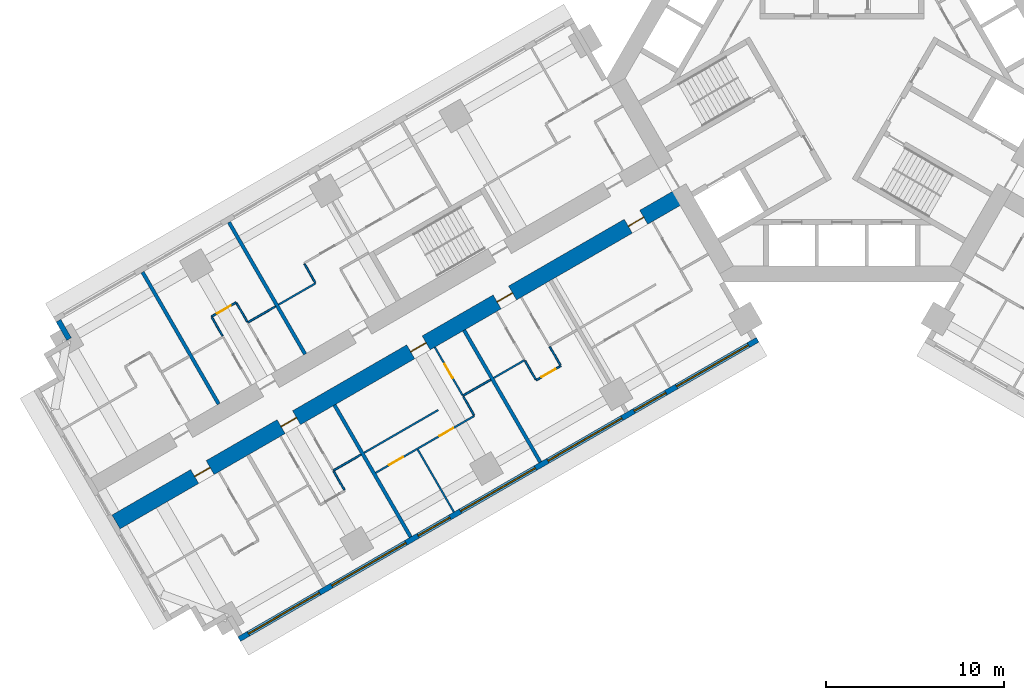
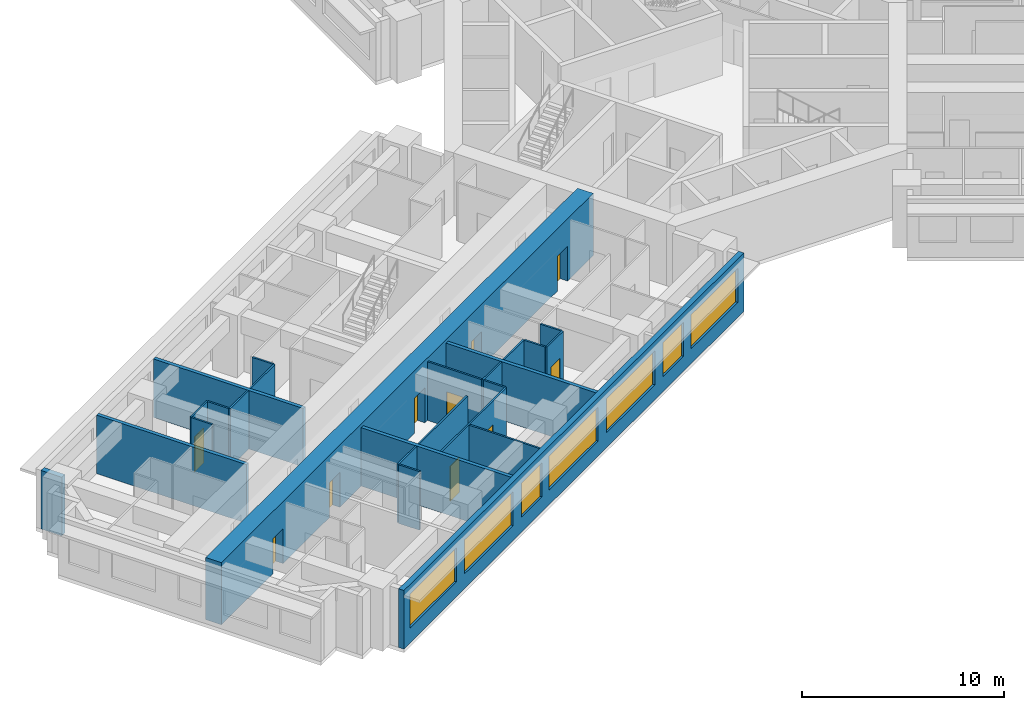
# One storey, part 4 of 16: 25 walls, 10 doors, 7 windows, 17 openings.
"""IFC4 building model written with IfcOpenShell, lengths in metres."""

from ifc_helpers import new_model, si_unit, direction, frame, frame_2d, origin, place, context, subcontext, project, spatial, rectangle, extrude, material, layer, layer_set, type_object, element, fill, save


model = new_model("IFC4")

# Units and contexts
model_context = context("Model", 3, precision=1e-05, world=origin(), true_north=direction((0.0, 1.0)))
body_context = subcontext(model_context, "Body", "Model", "MODEL_VIEW")
ifc_project = project(units=[si_unit("LENGTHUNIT", "METRE"), si_unit("AREAUNIT", "SQUARE_METRE"), si_unit("VOLUMEUNIT", "CUBIC_METRE"), si_unit("PLANEANGLEUNIT", "RADIAN"), si_unit("MASSUNIT", "GRAM", prefix="KILO")], contexts=[model_context])

# Site, building, storey
site_placement = place(None, origin())
site = spatial("IfcSite", under=ifc_project, at=site_placement, CompositionType="ELEMENT")
building_placement = place(site_placement, origin())
building = spatial("IfcBuilding", under=site, at=building_placement, Name="Impinga Residences", CompositionType="ELEMENT")
storey_placement = place(building_placement, frame((0.0, 0.0, 52.25)))
storey = spatial("IfcBuildingStorey", under=building, at=storey_placement, Name="L12", CompositionType="ELEMENT", Elevation=52.25)

# Wall, openings, doors
ifc_material_1 = material(Name="Concrete C70/85", Category="concrete")
ifc_layer_1 = layer(ifc_material_1, 0.89990234375)
ifc_layer_set_1 = layer_set([ifc_layer_1], Name="Concrete C70/85")
wall_type_1 = type_object("IfcWallType", Name="BW1 corridor buttress wall, L05 to L22 900", PredefinedType="SHEAR", material=ifc_layer_set_1)
wall_1_placement = place(storey_placement, frame((-8.910400390625, -6.530029296875, 0.0), z_axis=(0.0, 0.0, 1.0), x_axis=(-0.866025284237, -0.500000207062, 0.0)))
wall_1 = element("IfcWall", 1, at=wall_1_placement, inside=storey, type_object=wall_type_1, Name="Corridor wall BW1 WC L12", PredefinedType="SHEAR", context=body_context, shape_type="SweptSolid", body=[
    extrude(rectangle(XDim=36.75, YDim=0.89990234375, at=frame_2d((18.375, 0.0))), origin(), (0.0, 0.0, 1.0), 3.75),
])
opening_1_placement = place(wall_1_placement, frame((2.550048828125, 0.0, 0.0)))
opening_1 = element("IfcOpeningElement", 2, at=opening_1_placement, cuts=wall_1, Name="Opening D1", PredefinedType="OPENING", context=body_context, shape_type="SweptSolid", body=[
    extrude(rectangle(XDim=1.0, YDim=2.10009765625, at=frame_2d((0.5, 1.050048828125))), frame((0.0, 0.4599609375, 0.0), z_axis=(0.0, -1.0, 0.0), x_axis=(1.0, 0.0, 0.0)), (0.0, 0.0, 1.0), 0.919921875),
])
opening_2_placement = place(wall_1_placement, frame((11.050048828125, 0.0, 0.0)))
opening_2 = element("IfcOpeningElement", 3, at=opening_2_placement, cuts=wall_1, Name="Opening D1", PredefinedType="OPENING", context=body_context, shape_type="SweptSolid", body=[
    extrude(rectangle(XDim=1.0, YDim=2.10009765625, at=frame_2d((0.5, 1.050048828125))), frame((0.0, 0.4599609375, 0.0), z_axis=(0.0, -1.0, 0.0), x_axis=(1.0, 0.0, 0.0)), (0.0, 0.0, 1.0), 0.919921875),
])
opening_3_placement = place(wall_1_placement, frame((16.64990234375, 0.0, 0.0)))
opening_3 = element("IfcOpeningElement", 4, at=opening_3_placement, cuts=wall_1, Name="Opening D1", PredefinedType="OPENING", context=body_context, shape_type="SweptSolid", body=[
    extrude(rectangle(XDim=1.0, YDim=2.10009765625, at=frame_2d((0.5, 1.050048828125))), frame((0.0, 0.4599609375, 0.0), z_axis=(0.0, -1.0, 0.0), x_axis=(1.0, 0.0, 0.0)), (0.0, 0.0, 1.0), 0.919921875),
])
opening_4_placement = place(wall_1_placement, frame((25.050048828125, 0.0, 0.0)))
opening_4 = element("IfcOpeningElement", 5, at=opening_4_placement, cuts=wall_1, Name="Opening D1", PredefinedType="OPENING", context=body_context, shape_type="SweptSolid", body=[
    extrude(rectangle(XDim=1.0, YDim=2.10009765625, at=frame_2d((0.5, 1.050048828125))), frame((0.0, 0.4599609375, 0.0), z_axis=(0.0, -1.0, 0.0), x_axis=(1.0, 0.0, 0.0)), (0.0, 0.0, 1.0), 0.919921875),
])
opening_5_placement = place(wall_1_placement, frame((30.64990234375, 0.0, 0.0)))
opening_5 = element("IfcOpeningElement", 6, at=opening_5_placement, cuts=wall_1, Name="Opening D1", PredefinedType="OPENING", context=body_context, shape_type="SweptSolid", body=[
    extrude(rectangle(XDim=1.0, YDim=2.10009765625, at=frame_2d((0.5, 1.050048828125))), frame((0.0, 0.4599609375, 0.0), z_axis=(0.0, -1.0, 0.0), x_axis=(1.0, 0.0, 0.0)), (0.0, 0.0, 1.0), 0.919921875),
])
ifc_material_2 = material(Name="Timber door set", Category="wood")
door_type_1 = type_object("IfcDoorType", Name="D1 apartment entrance door 1000x2100", OperationType="SINGLE_SWING_LEFT", PredefinedType="DOOR", material=ifc_material_2)
door_1_placement = place(opening_1_placement, origin())
door_1 = element("IfcDoor", 7, at=door_1_placement, inside=storey, type_object=door_type_1, Name="Apartment L12-WA1 entrance", OperationType="SINGLE_SWING_LEFT", OverallHeight=2.10009765625, OverallWidth=1.0, PredefinedType="DOOR", context=body_context, shape_type="SweptSolid", body=[
    extrude(rectangle(XDim=1.0, YDim=2.10009765625, at=frame_2d((0.5, 1.050048828125))), frame((0.0, 0.02490234375, 0.0), z_axis=(0.0, -1.0, 0.0), x_axis=(1.0, 0.0, 0.0)), (0.0, 0.0, 1.0), 0.050048828125),
])
fill(opening_1, door_1)
door_2_placement = place(opening_2_placement, origin())
door_2 = element("IfcDoor", 8, at=door_2_placement, inside=storey, type_object=door_type_1, Name="Apartment L12-WA2 entrance", OperationType="SINGLE_SWING_LEFT", OverallHeight=2.10009765625, OverallWidth=1.0, PredefinedType="DOOR", context=body_context, shape_type="SweptSolid", body=[
    extrude(rectangle(XDim=1.0, YDim=2.10009765625, at=frame_2d((0.5, 1.050048828125))), frame((0.0, 0.02490234375, 0.0), z_axis=(0.0, -1.0, 0.0), x_axis=(1.0, 0.0, 0.0)), (0.0, 0.0, 1.0), 0.050048828125),
])
fill(opening_2, door_2)
door_3_placement = place(opening_3_placement, origin())
door_3 = element("IfcDoor", 9, at=door_3_placement, inside=storey, type_object=door_type_1, Name="Apartment L12-WA3 entrance", OperationType="SINGLE_SWING_LEFT", OverallHeight=2.10009765625, OverallWidth=1.0, PredefinedType="DOOR", context=body_context, shape_type="SweptSolid", body=[
    extrude(rectangle(XDim=1.0, YDim=2.10009765625, at=frame_2d((0.5, 1.050048828125))), frame((0.0, 0.02490234375, 0.0), z_axis=(0.0, -1.0, 0.0), x_axis=(1.0, 0.0, 0.0)), (0.0, 0.0, 1.0), 0.050048828125),
])
fill(opening_3, door_3)
door_4_placement = place(opening_4_placement, origin())
door_4 = element("IfcDoor", 10, at=door_4_placement, inside=storey, type_object=door_type_1, Name="Apartment L12-WA4 entrance", OperationType="SINGLE_SWING_RIGHT", OverallHeight=2.10009765625, OverallWidth=1.0, PredefinedType="DOOR", context=body_context, shape_type="SweptSolid", body=[
    extrude(rectangle(XDim=1.0, YDim=2.10009765625, at=frame_2d((0.5, 1.050048828125))), frame((0.0, 0.02490234375, 0.0), z_axis=(0.0, -1.0, 0.0), x_axis=(1.0, 0.0, 0.0)), (0.0, 0.0, 1.0), 0.050048828125),
])
fill(opening_4, door_4)
door_5_placement = place(opening_5_placement, origin())
door_5 = element("IfcDoor", 11, at=door_5_placement, inside=storey, type_object=door_type_1, Name="Apartment L12-WA5 entrance", OperationType="SINGLE_SWING_RIGHT", OverallHeight=2.10009765625, OverallWidth=1.0, PredefinedType="DOOR", context=body_context, shape_type="SweptSolid", body=[
    extrude(rectangle(XDim=1.0, YDim=2.10009765625, at=frame_2d((0.5, 1.050048828125))), frame((0.0, 0.02490234375, 0.0), z_axis=(0.0, -1.0, 0.0), x_axis=(1.0, 0.0, 0.0)), (0.0, 0.0, 1.0), 0.050048828125),
])
fill(opening_5, door_5)

# Wall
ifc_material_3 = material(Name="Terracotta rainscreen on blockwork", Category="masonry")
ifc_layer_2 = layer(ifc_material_3, 0.300048828125)
ifc_layer_set_2 = layer_set([ifc_layer_2], Name="EW1 external wall, terracotta rainscreen on blockwork 300")
wall_type_2 = type_object("IfcWallType", Name="EW1 external wall, terracotta rainscreen on blockwork 300", PredefinedType="SOLIDWALL", material=ifc_layer_set_2)
wall_2_placement = place(storey_placement, frame((-43.37109375, -14.64208984375, 0.0), z_axis=(0.0, 0.0, 1.0), x_axis=(-0.500029051137, 0.866008630453, 0.0)))
element("IfcWall", 12, at=wall_2_placement, inside=storey, type_object=wall_type_2, Name="External wall EW1 L12", PredefinedType="SOLIDWALL", context=body_context, shape_type="SweptSolid", body=[
    extrude(rectangle(XDim=1.19482421875, YDim=0.300048828125, at=frame_2d((0.597412109375, 0.0))), origin(), (0.0, 0.0, 1.0), 3.530029296875),
])

# Wall, openings, windows
wall_3_placement = place(storey_placement, frame((-4.72509765625, -14.67919921875, 0.0), z_axis=(0.0, 0.0, 1.0), x_axis=(-0.866024291668, -0.500001926238, 0.0)))
wall_3 = element("IfcWall", 13, at=wall_3_placement, inside=storey, type_object=wall_type_2, Name="External wall EW1 L12", PredefinedType="SOLIDWALL", context=body_context, shape_type="SweptSolid", body=[
    extrude(rectangle(XDim=33.599853515625, YDim=0.300048828125, at=frame_2d((16.7998046875, 0.0))), origin(), (0.0, 0.0, 1.0), 3.530029296875),
])
opening_6_placement = place(wall_3_placement, frame((0.60009765625, 0.0, 0.89990234375)))
opening_6 = element("IfcOpeningElement", 14, at=opening_6_placement, cuts=wall_3, Name="Opening W10", PredefinedType="OPENING", context=body_context, shape_type="SweptSolid", body=[
    extrude(rectangle(XDim=4.64990234375, YDim=2.050048828125, at=frame_2d((2.324951171875, 1.02490234375))), frame((0.0, 0.159912109375, 0.0), z_axis=(0.0, -1.0, 0.0), x_axis=(1.0, 0.0, 0.0)), (0.0, 0.0, 1.0), 0.320068359375),
])
opening_7_placement = place(wall_3_placement, frame((5.949951171875, 0.0, 0.89990234375)))
opening_7 = element("IfcOpeningElement", 15, at=opening_7_placement, cuts=wall_3, Name="Opening W14", PredefinedType="OPENING", context=body_context, shape_type="SweptSolid", body=[
    extrude(rectangle(XDim=2.050048828125, YDim=2.050048828125, at=frame_2d((1.02490234375, 1.02490234375))), frame((0.0, 0.159912109375, 0.0), z_axis=(0.0, -1.0, 0.0), x_axis=(1.0, 0.0, 0.0)), (0.0, 0.0, 1.0), 0.320068359375),
])
opening_8_placement = place(wall_3_placement, frame((8.800048828125, 0.0, 0.89990234375)))
opening_8 = element("IfcOpeningElement", 16, at=opening_8_placement, cuts=wall_3, Name="Opening W8", PredefinedType="OPENING", context=body_context, shape_type="SweptSolid", body=[
    extrude(rectangle(XDim=4.800048828125, YDim=2.050048828125, at=frame_2d((2.39990234375, 1.02490234375))), frame((0.0, 0.159912109375, 0.0), z_axis=(0.0, -1.0, 0.0), x_axis=(1.0, 0.0, 0.0)), (0.0, 0.0, 1.0), 0.320068359375),
])
opening_9_placement = place(wall_3_placement, frame((14.39990234375, 0.0, 0.89990234375)))
opening_9 = element("IfcOpeningElement", 17, at=opening_9_placement, cuts=wall_3, Name="Opening W6", PredefinedType="OPENING", context=body_context, shape_type="SweptSolid", body=[
    extrude(rectangle(XDim=4.85009765625, YDim=2.050048828125, at=frame_2d((2.425048828125, 1.02490234375))), frame((0.0, 0.159912109375, 0.0), z_axis=(0.0, -1.0, 0.0), x_axis=(1.0, 0.0, 0.0)), (0.0, 0.0, 1.0), 0.320068359375),
])
opening_10_placement = place(wall_3_placement, frame((19.949951171875, 0.0, 0.89990234375)))
opening_10 = element("IfcOpeningElement", 18, at=opening_10_placement, cuts=wall_3, Name="Opening W14", PredefinedType="OPENING", context=body_context, shape_type="SweptSolid", body=[
    extrude(rectangle(XDim=2.050048828125, YDim=2.050048828125, at=frame_2d((1.02490234375, 1.02490234375))), frame((0.0, 0.159912109375, 0.0), z_axis=(0.0, -1.0, 0.0), x_axis=(1.0, 0.0, 0.0)), (0.0, 0.0, 1.0), 0.320068359375),
])
opening_11_placement = place(wall_3_placement, frame((22.800048828125, 0.0, 0.89990234375)))
opening_11 = element("IfcOpeningElement", 19, at=opening_11_placement, cuts=wall_3, Name="Opening W8", PredefinedType="OPENING", context=body_context, shape_type="SweptSolid", body=[
    extrude(rectangle(XDim=4.800048828125, YDim=2.050048828125, at=frame_2d((2.39990234375, 1.02490234375))), frame((0.0, 0.159912109375, 0.0), z_axis=(0.0, -1.0, 0.0), x_axis=(1.0, 0.0, 0.0)), (0.0, 0.0, 1.0), 0.320068359375),
])
opening_12_placement = place(wall_3_placement, frame((28.39990234375, 0.0, 0.89990234375)))
opening_12 = element("IfcOpeningElement", 20, at=opening_12_placement, cuts=wall_3, Name="Opening W3", PredefinedType="OPENING", context=body_context, shape_type="SweptSolid", body=[
    extrude(rectangle(XDim=4.60009765625, YDim=2.050048828125, at=frame_2d((2.300048828125, 1.02490234375))), frame((0.0, 0.159912109375, 0.0), z_axis=(0.0, -1.0, 0.0), x_axis=(1.0, 0.0, 0.0)), (0.0, 0.0, 1.0), 0.320068359375),
])
ifc_material_4 = material(Name="Aluminium window, clear double glazing", Category="aluminium")
window_type_1 = type_object("IfcWindowType", Name="W10 ribbon window 4650x2050", PartitioningType="SINGLE_PANEL", PredefinedType="WINDOW", material=ifc_material_4)
window_1_placement = place(opening_6_placement, origin())
window_1 = element("IfcWindow", 21, at=window_1_placement, inside=storey, type_object=window_type_1, Name="Window L12", OverallHeight=2.050048828125, OverallWidth=4.64990234375, PartitioningType="SINGLE_PANEL", PredefinedType="WINDOW", context=body_context, shape_type="SweptSolid", body=[
    extrude(rectangle(XDim=4.64990234375, YDim=2.050048828125, at=frame_2d((2.324951171875, 1.02490234375))), frame((0.0, 0.030029296875, 0.0), z_axis=(0.0, -1.0, 0.0), x_axis=(1.0, 0.0, 0.0)), (0.0, 0.0, 1.0), 0.06005859375),
])
fill(opening_6, window_1)
window_type_2 = type_object("IfcWindowType", Name="W14 ribbon window 2050x2050", PartitioningType="SINGLE_PANEL", PredefinedType="WINDOW", material=ifc_material_4)
window_2_placement = place(opening_7_placement, origin())
window_2 = element("IfcWindow", 22, at=window_2_placement, inside=storey, type_object=window_type_2, Name="Window L12", OverallHeight=2.050048828125, OverallWidth=2.050048828125, PartitioningType="SINGLE_PANEL", PredefinedType="WINDOW", context=body_context, shape_type="SweptSolid", body=[
    extrude(rectangle(XDim=2.050048828125, YDim=2.050048828125, at=frame_2d((1.02490234375, 1.02490234375))), frame((0.0, 0.030029296875, 0.0), z_axis=(0.0, -1.0, 0.0), x_axis=(1.0, 0.0, 0.0)), (0.0, 0.0, 1.0), 0.06005859375),
])
fill(opening_7, window_2)
window_3_placement = place(opening_10_placement, origin())
window_3 = element("IfcWindow", 23, at=window_3_placement, inside=storey, type_object=window_type_2, Name="Window L12", OverallHeight=2.050048828125, OverallWidth=2.050048828125, PartitioningType="SINGLE_PANEL", PredefinedType="WINDOW", context=body_context, shape_type="SweptSolid", body=[
    extrude(rectangle(XDim=2.050048828125, YDim=2.050048828125, at=frame_2d((1.02490234375, 1.02490234375))), frame((0.0, 0.030029296875, 0.0), z_axis=(0.0, -1.0, 0.0), x_axis=(1.0, 0.0, 0.0)), (0.0, 0.0, 1.0), 0.06005859375),
])
fill(opening_10, window_3)
window_type_3 = type_object("IfcWindowType", Name="W3 ribbon window 4600x2050", PartitioningType="SINGLE_PANEL", PredefinedType="WINDOW", material=ifc_material_4)
window_4_placement = place(opening_12_placement, origin())
window_4 = element("IfcWindow", 24, at=window_4_placement, inside=storey, type_object=window_type_3, Name="Window L12", OverallHeight=2.050048828125, OverallWidth=4.60009765625, PartitioningType="SINGLE_PANEL", PredefinedType="WINDOW", context=body_context, shape_type="SweptSolid", body=[
    extrude(rectangle(XDim=4.60009765625, YDim=2.050048828125, at=frame_2d((2.300048828125, 1.02490234375))), frame((0.0, 0.030029296875, 0.0), z_axis=(0.0, -1.0, 0.0), x_axis=(1.0, 0.0, 0.0)), (0.0, 0.0, 1.0), 0.06005859375),
])
fill(opening_12, window_4)
window_type_4 = type_object("IfcWindowType", Name="W6 ribbon window 4850x2050", PartitioningType="SINGLE_PANEL", PredefinedType="WINDOW", material=ifc_material_4)
window_5_placement = place(opening_9_placement, origin())
window_5 = element("IfcWindow", 25, at=window_5_placement, inside=storey, type_object=window_type_4, Name="Window L12", OverallHeight=2.050048828125, OverallWidth=4.85009765625, PartitioningType="SINGLE_PANEL", PredefinedType="WINDOW", context=body_context, shape_type="SweptSolid", body=[
    extrude(rectangle(XDim=4.85009765625, YDim=2.050048828125, at=frame_2d((2.425048828125, 1.02490234375))), frame((0.0, 0.030029296875, 0.0), z_axis=(0.0, -1.0, 0.0), x_axis=(1.0, 0.0, 0.0)), (0.0, 0.0, 1.0), 0.06005859375),
])
fill(opening_9, window_5)
window_type_5 = type_object("IfcWindowType", Name="W8 ribbon window 4800x2050", PartitioningType="SINGLE_PANEL", PredefinedType="WINDOW", material=ifc_material_4)
window_6_placement = place(opening_8_placement, origin())
window_6 = element("IfcWindow", 26, at=window_6_placement, inside=storey, type_object=window_type_5, Name="Window L12", OverallHeight=2.050048828125, OverallWidth=4.800048828125, PartitioningType="SINGLE_PANEL", PredefinedType="WINDOW", context=body_context, shape_type="SweptSolid", body=[
    extrude(rectangle(XDim=4.800048828125, YDim=2.050048828125, at=frame_2d((2.39990234375, 1.02490234375))), frame((0.0, 0.030029296875, 0.0), z_axis=(0.0, -1.0, 0.0), x_axis=(1.0, 0.0, 0.0)), (0.0, 0.0, 1.0), 0.06005859375),
])
fill(opening_8, window_6)
window_7_placement = place(opening_11_placement, origin())
window_7 = element("IfcWindow", 27, at=window_7_placement, inside=storey, type_object=window_type_5, Name="Window L12", OverallHeight=2.050048828125, OverallWidth=4.800048828125, PartitioningType="SINGLE_PANEL", PredefinedType="WINDOW", context=body_context, shape_type="SweptSolid", body=[
    extrude(rectangle(XDim=4.800048828125, YDim=2.050048828125, at=frame_2d((2.39990234375, 1.02490234375))), frame((0.0, 0.030029296875, 0.0), z_axis=(0.0, -1.0, 0.0), x_axis=(1.0, 0.0, 0.0)), (0.0, 0.0, 1.0), 0.06005859375),
])
fill(opening_11, window_7)

# Wall
ifc_material_5 = material(Name="Gypsum board on steel studs", Category="steel")
ifc_layer_3 = layer(ifc_material_5, 0.10009765625)
ifc_layer_set_3 = layer_set([ifc_layer_3], Name="Gypsum board on steel studs")
wall_type_3 = type_object("IfcWallType", Name="IP1 partition 100", PredefinedType="PARTITIONING", material=ifc_layer_set_3)
wall_4_placement = place(storey_placement, frame((-17.8056640625, -15.82275390625, 0.0), z_axis=(0.0, 0.0, 1.0), x_axis=(-0.866041268327, -0.499972520799, 0.0)))
element("IfcWall", 28, at=wall_4_placement, inside=storey, type_object=wall_type_3, Name="Partition L12-WA2:DIV1", PredefinedType="PARTITIONING", context=body_context, shape_type="SweptSolid", body=[
    extrude(rectangle(XDim=2.0, YDim=0.10009765625, at=frame_2d((1.0, 0.0))), origin(), (0.0, 0.0, 1.0), 3.530029296875),
])

# Wall, opening, door
wall_5_placement = place(storey_placement, frame((-15.77001953125, -16.1484375, 0.0), z_axis=(0.0, 0.0, 1.0), x_axis=(-0.866028054938, -0.499995408039, 0.0)))
wall_5 = element("IfcWall", 29, at=wall_5_placement, inside=storey, type_object=wall_type_3, Name="Partition L12-WA2:STRIP", PredefinedType="PARTITIONING", context=body_context, shape_type="SweptSolid", body=[
    extrude(rectangle(XDim=1.60009765625, YDim=0.10009765625, at=frame_2d((0.800048828125, 0.0))), origin(), (0.0, 0.0, 1.0), 3.530029296875),
])
opening_13_placement = place(wall_5_placement, frame((0.35009765625, 0.0, 0.0)))
opening_13 = element("IfcOpeningElement", 30, at=opening_13_placement, cuts=wall_5, Name="Opening D2", PredefinedType="OPENING", context=body_context, shape_type="SweptSolid", body=[
    extrude(rectangle(XDim=0.89990234375, YDim=2.10009765625, at=frame_2d((0.449951171875, 1.050048828125))), frame((0.0, 0.06005859375, 0.0), z_axis=(0.0, -1.0, 0.0), x_axis=(1.0, 0.0, 0.0)), (0.0, 0.0, 1.0), 0.1201171875),
])
door_type_2 = type_object("IfcDoorType", Name="D2 internal door 900x2100", OperationType="SINGLE_SWING_LEFT", PredefinedType="DOOR", material=ifc_material_2)
door_6_placement = place(opening_13_placement, origin())
door_6 = element("IfcDoor", 31, at=door_6_placement, inside=storey, type_object=door_type_2, Name="Apartment L12-WA2 room door", OperationType="SINGLE_SWING_LEFT", OverallHeight=2.10009765625, OverallWidth=0.89990234375, PredefinedType="DOOR", context=body_context, shape_type="SweptSolid", body=[
    extrude(rectangle(XDim=0.89990234375, YDim=2.10009765625, at=frame_2d((0.449951171875, 1.050048828125))), frame((0.0, 0.02490234375, 0.0), z_axis=(0.0, -1.0, 0.0), x_axis=(1.0, 0.0, 0.0)), (0.0, 0.0, 1.0), 0.050048828125),
])
fill(opening_13, door_6)

# Walls
wall_6_placement = place(storey_placement, frame((-16.39501953125, -15.06591796875, 0.0), z_axis=(0.0, 0.0, 1.0), x_axis=(0.499880961361, -0.866094119867, 0.0)))
element("IfcWall", 32, at=wall_6_placement, inside=storey, type_object=wall_type_3, Name="Partition L12-WA2:SE0", PredefinedType="PARTITIONING", context=body_context, shape_type="SweptSolid", body=[
    extrude(rectangle(XDim=1.199951171875, YDim=0.10009765625, at=frame_2d((0.60009765625, 0.0))), origin(), (0.0, 0.0, 1.0), 3.530029296875),
])
wall_7_placement = place(storey_placement, frame((-17.78076171875, -15.865966796875, 0.0), z_axis=(0.0, 0.0, 1.0), x_axis=(0.500033551112, -0.866006032174, 0.0)))
element("IfcWall", 33, at=wall_7_placement, inside=storey, type_object=wall_type_3, Name="Partition L12-WA2:SE1", PredefinedType="PARTITIONING", context=body_context, shape_type="SweptSolid", body=[
    extrude(rectangle(XDim=1.2001953125, YDim=0.10009765625, at=frame_2d((0.60009765625, 0.0))), origin(), (0.0, 0.0, 1.0), 3.530029296875),
])
wall_8_placement = place(storey_placement, frame((-19.7109375, -16.922607421875, 0.0), z_axis=(0.0, 0.0, 1.0), x_axis=(-0.865989075817, -0.500062916607, 0.0)))
element("IfcWall", 34, at=wall_8_placement, inside=storey, type_object=wall_type_3, Name="Partition L12-WA3:DIV0", PredefinedType="PARTITIONING", context=body_context, shape_type="SweptSolid", body=[
    extrude(rectangle(XDim=1.800048828125, YDim=0.10009765625, at=frame_2d((0.89990234375, 0.0))), origin(), (0.0, 0.0, 1.0), 3.530029296875),
])
wall_9_placement = place(storey_placement, frame((-22.655517578125, -18.622802734375, 0.0), z_axis=(0.0, 0.0, 1.0), x_axis=(-0.866024647952, -0.500001309137, 0.0)))
element("IfcWall", 35, at=wall_9_placement, inside=storey, type_object=wall_type_3, Name="Partition L12-WA3:DIV1", PredefinedType="PARTITIONING", context=body_context, shape_type="SweptSolid", body=[
    extrude(rectangle(XDim=4.7998046875, YDim=0.10009765625, at=frame_2d((2.39990234375, 0.0))), origin(), (0.0, 0.0, 1.0), 3.530029296875),
])

# Wall, openings, doors
wall_10_placement = place(storey_placement, frame((-20.619873046875, -18.948486328125, 0.0), z_axis=(0.0, 0.0, 1.0), x_axis=(-0.866025499775, -0.499999833739, 0.0)))
wall_10 = element("IfcWall", 36, at=wall_10_placement, inside=storey, type_object=wall_type_3, Name="Partition L12-WA3:STRIP", PredefinedType="PARTITIONING", context=body_context, shape_type="SweptSolid", body=[
    extrude(rectangle(XDim=6.39990234375, YDim=0.10009765625, at=frame_2d((3.199951171875, 0.0))), origin(), (0.0, 0.0, 1.0), 3.530029296875),
])
opening_14_placement = place(wall_10_placement, frame((1.375, 0.0, 0.0)))
opening_14 = element("IfcOpeningElement", 37, at=opening_14_placement, cuts=wall_10, Name="Opening D2", PredefinedType="OPENING", context=body_context, shape_type="SweptSolid", body=[
    extrude(rectangle(XDim=0.89990234375, YDim=2.10009765625, at=frame_2d((0.449951171875, 1.050048828125))), frame((0.0, 0.06005859375, 0.0), z_axis=(0.0, -1.0, 0.0), x_axis=(1.0, 0.0, 0.0)), (0.0, 0.0, 1.0), 0.1201171875),
])
opening_15_placement = place(wall_10_placement, frame((4.625, 0.0, 0.0)))
opening_15 = element("IfcOpeningElement", 38, at=opening_15_placement, cuts=wall_10, Name="Opening D2", PredefinedType="OPENING", context=body_context, shape_type="SweptSolid", body=[
    extrude(rectangle(XDim=0.89990234375, YDim=2.10009765625, at=frame_2d((0.449951171875, 1.050048828125))), frame((0.0, 0.06005859375, 0.0), z_axis=(0.0, -1.0, 0.0), x_axis=(1.0, 0.0, 0.0)), (0.0, 0.0, 1.0), 0.1201171875),
])
door_7_placement = place(opening_14_placement, origin())
door_7 = element("IfcDoor", 39, at=door_7_placement, inside=storey, type_object=door_type_2, Name="Apartment L12-WA3 room door", OperationType="SINGLE_SWING_LEFT", OverallHeight=2.10009765625, OverallWidth=0.89990234375, PredefinedType="DOOR", context=body_context, shape_type="SweptSolid", body=[
    extrude(rectangle(XDim=0.89990234375, YDim=2.10009765625, at=frame_2d((0.449951171875, 1.050048828125))), frame((0.0, 0.02490234375, 0.0), z_axis=(0.0, -1.0, 0.0), x_axis=(1.0, 0.0, 0.0)), (0.0, 0.0, 1.0), 0.050048828125),
])
fill(opening_14, door_7)
door_8_placement = place(opening_15_placement, origin())
door_8 = element("IfcDoor", 40, at=door_8_placement, inside=storey, type_object=door_type_2, Name="Apartment L12-WA3 room door", OperationType="SINGLE_SWING_RIGHT", OverallHeight=2.10009765625, OverallWidth=0.89990234375, PredefinedType="DOOR", context=body_context, shape_type="SweptSolid", body=[
    extrude(rectangle(XDim=0.89990234375, YDim=2.10009765625, at=frame_2d((0.449951171875, 1.050048828125))), frame((0.0, 0.02490234375, 0.0), z_axis=(0.0, -1.0, 0.0), x_axis=(1.0, 0.0, 0.0)), (0.0, 0.0, 1.0), 0.050048828125),
])
fill(opening_15, door_8)

# Wall
wall_11_placement = place(storey_placement, frame((-21.244873046875, -17.865966796875, 0.0), z_axis=(0.0, 0.0, 1.0), x_axis=(0.500033551112, -0.866006032174, 0.0)))
element("IfcWall", 41, at=wall_11_placement, inside=storey, type_object=wall_type_3, Name="Partition L12-WA3:SE0", PredefinedType="PARTITIONING", context=body_context, shape_type="SweptSolid", body=[
    extrude(rectangle(XDim=1.2001953125, YDim=0.10009765625, at=frame_2d((0.60009765625, 0.0))), origin(), (0.0, 0.0, 1.0), 3.530029296875),
])

# Wall, opening, door
wall_12_placement = place(storey_placement, frame((-22.8447265625, -15.0947265625, 0.0), z_axis=(0.0, 0.0, 1.0), x_axis=(0.499967891604, -0.866043940782, 0.0)))
wall_12 = element("IfcWall", 42, at=wall_12_placement, inside=storey, type_object=wall_type_3, Name="Partition L12-WA3:IB1", PredefinedType="PARTITIONING", context=body_context, shape_type="SweptSolid", body=[
    extrude(rectangle(XDim=3.099853515625, YDim=0.10009765625, at=frame_2d((1.5498046875, 0.0))), origin(), (0.0, 0.0, 1.0), 3.530029296875),
])
opening_16_placement = place(wall_12_placement, frame((1.10009765625, 0.0, 0.0)))
opening_16 = element("IfcOpeningElement", 43, at=opening_16_placement, cuts=wall_12, Name="Opening D2", PredefinedType="OPENING", context=body_context, shape_type="SweptSolid", body=[
    extrude(rectangle(XDim=0.89990234375, YDim=2.10009765625, at=frame_2d((0.449951171875, 1.050048828125))), frame((0.0, 0.06005859375, 0.0), z_axis=(0.0, -1.0, 0.0), x_axis=(1.0, 0.0, 0.0)), (0.0, 0.0, 1.0), 0.1201171875),
])
door_9_placement = place(opening_16_placement, origin())
door_9 = element("IfcDoor", 44, at=door_9_placement, inside=storey, type_object=door_type_2, Name="Apartment L12-WA3 bathroom door", OperationType="SINGLE_SWING_LEFT", OverallHeight=2.10009765625, OverallWidth=0.89990234375, PredefinedType="DOOR", context=body_context, shape_type="SweptSolid", body=[
    extrude(rectangle(XDim=0.89990234375, YDim=2.10009765625, at=frame_2d((0.449951171875, 1.050048828125))), frame((0.0, 0.02490234375, 0.0), z_axis=(0.0, -1.0, 0.0), x_axis=(1.0, 0.0, 0.0)), (0.0, 0.0, 1.0), 0.050048828125),
])
fill(opening_16, door_9)

# Walls
wall_13_placement = place(storey_placement, frame((-23.799072265625, -20.841796875, 0.0), z_axis=(0.0, 0.0, 1.0), x_axis=(0.499990325971, -0.866030989016, 0.0)))
element("IfcWall", 45, at=wall_13_placement, inside=storey, type_object=wall_type_3, Name="Partition L12-WA3:OB1", PredefinedType="PARTITIONING", context=body_context, shape_type="SweptSolid", body=[
    extrude(rectangle(XDim=4.0498046875, YDim=0.10009765625, at=frame_2d((2.02490234375, 0.0))), origin(), (0.0, 0.0, 1.0), 3.530029296875),
])
wall_14_placement = place(storey_placement, frame((-26.985595703125, -21.122802734375, 0.0), z_axis=(0.0, 0.0, 1.0), x_axis=(-0.866047807691, -0.499961193289, 0.0)))
element("IfcWall", 46, at=wall_14_placement, inside=storey, type_object=wall_type_3, Name="Partition L12-WA4:DIV0", PredefinedType="PARTITIONING", context=body_context, shape_type="SweptSolid", body=[
    extrude(rectangle(XDim=1.800048828125, YDim=0.10009765625, at=frame_2d((0.89990234375, 0.0))), origin(), (0.0, 0.0, 1.0), 3.530029296875),
])
wall_15_placement = place(storey_placement, frame((-28.51953125, -22.06591796875, 0.0), z_axis=(0.0, 0.0, 1.0), x_axis=(0.500033551112, -0.866006032174, 0.0)))
element("IfcWall", 47, at=wall_15_placement, inside=storey, type_object=wall_type_3, Name="Partition L12-WA4:SE0", PredefinedType="PARTITIONING", context=body_context, shape_type="SweptSolid", body=[
    extrude(rectangle(XDim=1.2001953125, YDim=0.10009765625, at=frame_2d((0.60009765625, 0.0))), origin(), (0.0, 0.0, 1.0), 3.530029296875),
])
wall_16_placement = place(storey_placement, frame((-29.533935546875, -11.5087890625, 0.0), z_axis=(0.0, 0.0, 1.0), x_axis=(-0.866024647952, -0.500001309137, 0.0)))
element("IfcWall", 48, at=wall_16_placement, inside=storey, type_object=wall_type_3, Name="Partition L12-WF2:DIV1", PredefinedType="PARTITIONING", context=body_context, shape_type="SweptSolid", body=[
    extrude(rectangle(XDim=2.39990234375, YDim=0.10009765625, at=frame_2d((1.199951171875, 0.0))), origin(), (0.0, 0.0, 1.0), 3.530029296875),
])
wall_17_placement = place(storey_placement, frame((-29.558837890625, -11.465576171875, 0.0), z_axis=(0.0, 0.0, 1.0), x_axis=(-0.500033551112, 0.866006032174, 0.0)))
element("IfcWall", 49, at=wall_17_placement, inside=storey, type_object=wall_type_3, Name="Partition L12-WF2:SE1", PredefinedType="PARTITIONING", context=body_context, shape_type="SweptSolid", body=[
    extrude(rectangle(XDim=1.2001953125, YDim=0.10009765625, at=frame_2d((0.60009765625, 0.0))), origin(), (0.0, 0.0, 1.0), 3.530029296875),
])
wall_18_placement = place(storey_placement, frame((-31.78564453125, -12.808837890625, 0.0), z_axis=(0.0, 0.0, 1.0), x_axis=(-0.866047807691, -0.499961193289, 0.0)))
element("IfcWall", 50, at=wall_18_placement, inside=storey, type_object=wall_type_3, Name="Partition L12-WF3:DIV0", PredefinedType="PARTITIONING", context=body_context, shape_type="SweptSolid", body=[
    extrude(rectangle(XDim=1.800048828125, YDim=0.10009765625, at=frame_2d((0.89990234375, 0.0))), origin(), (0.0, 0.0, 1.0), 3.530029296875),
])

# Wall, opening, door
wall_19_placement = place(storey_placement, frame((-33.994384765625, -12.5830078125, 0.0), z_axis=(0.0, 0.0, 1.0), x_axis=(-0.866028054938, -0.499995408039, 0.0)))
wall_19 = element("IfcWall", 51, at=wall_19_placement, inside=storey, type_object=wall_type_3, Name="Partition L12-WF3:STRIP", PredefinedType="PARTITIONING", context=body_context, shape_type="SweptSolid", body=[
    extrude(rectangle(XDim=1.60009765625, YDim=0.10009765625, at=frame_2d((0.800048828125, 0.0))), origin(), (0.0, 0.0, 1.0), 3.530029296875),
])
opening_17_placement = place(wall_19_placement, frame((0.35009765625, 0.0, 0.0)))
opening_17 = element("IfcOpeningElement", 52, at=opening_17_placement, cuts=wall_19, Name="Opening D2", PredefinedType="OPENING", context=body_context, shape_type="SweptSolid", body=[
    extrude(rectangle(XDim=0.89990234375, YDim=2.10009765625, at=frame_2d((0.449951171875, 1.050048828125))), frame((0.0, 0.06005859375, 0.0), z_axis=(0.0, -1.0, 0.0), x_axis=(1.0, 0.0, 0.0)), (0.0, 0.0, 1.0), 0.1201171875),
])
door_10_placement = place(opening_17_placement, origin())
door_10 = element("IfcDoor", 53, at=door_10_placement, inside=storey, type_object=door_type_2, Name="Apartment L12-WF3 room door", OperationType="SINGLE_SWING_LEFT", OverallHeight=2.10009765625, OverallWidth=0.89990234375, PredefinedType="DOOR", context=body_context, shape_type="SweptSolid", body=[
    extrude(rectangle(XDim=0.89990234375, YDim=2.10009765625, at=frame_2d((0.449951171875, 1.050048828125))), frame((0.0, 0.02490234375, 0.0), z_axis=(0.0, -1.0, 0.0), x_axis=(1.0, 0.0, 0.0)), (0.0, 0.0, 1.0), 0.050048828125),
])
fill(opening_17, door_10)

# Walls
wall_20_placement = place(storey_placement, frame((-33.369384765625, -13.66552734375, 0.0), z_axis=(0.0, 0.0, 1.0), x_axis=(-0.500033551112, 0.866006032174, 0.0)))
element("IfcWall", 54, at=wall_20_placement, inside=storey, type_object=wall_type_3, Name="Partition L12-WF3:SE0", PredefinedType="PARTITIONING", context=body_context, shape_type="SweptSolid", body=[
    extrude(rectangle(XDim=1.2001953125, YDim=0.10009765625, at=frame_2d((0.60009765625, 0.0))), origin(), (0.0, 0.0, 1.0), 3.530029296875),
])
wall_21_placement = place(storey_placement, frame((-34.755126953125, -14.465576171875, 0.0), z_axis=(0.0, 0.0, 1.0), x_axis=(-0.499880961361, 0.866094119867, 0.0)))
element("IfcWall", 55, at=wall_21_placement, inside=storey, type_object=wall_type_3, Name="Partition L12-WF3:SE1", PredefinedType="PARTITIONING", context=body_context, shape_type="SweptSolid", body=[
    extrude(rectangle(XDim=1.199951171875, YDim=0.10009765625, at=frame_2d((0.60009765625, 0.0))), origin(), (0.0, 0.0, 1.0), 3.530029296875),
])
ifc_material_6 = material(Name="Concrete blockwork", Category="masonry")
ifc_layer_4 = layer(ifc_material_6, 0.199951171875)
ifc_layer_set_4 = layer_set([ifc_layer_4], Name="PW1 party wall between apartments 200")
wall_type_4 = type_object("IfcWallType", Name="PW1 party wall between apartments 200", PredefinedType="SOLIDWALL", material=ifc_layer_set_4)
for number, where, z_axis, x_axis, name in (
    (56, (-21.199462890625, -14.144775390625, 0.0), (0.0, 0.0, 1.0), (0.500011643316, -0.866018681408, 0.0), "Party wall between apartments L12-WA2:PARTY"),
    (57, (-28.473876953125, -18.3447265625, 0.0), (0.0, 0.0, 1.0), (0.499990227581, -0.86603104582, 0.0), "Party wall between apartments L12-WA3:PARTY"),
    (58, (-30.1240234375, -15.48681640625, 0.0), (0.0, 0.0, 1.0), (-0.499990227581, 0.86603104582, 0.0), "Party wall between apartments L12-WF2:PARTY"),
    (59, (-34.9736328125, -18.286865234375, 0.0), (0.0, 0.0, 1.0), (-0.500011643316, 0.866018681408, 0.0), "Party wall between apartments L12-WF3:PARTY"),
):
    element("IfcWall", number, at=place(storey_placement, frame(where, z_axis=z_axis, x_axis=x_axis)), inside=storey, type_object=wall_type_4, Name=name, PredefinedType="SOLIDWALL", context=body_context, shape_type="SweptSolid", body=[
        extrude(rectangle(XDim=8.550048828125, YDim=0.199951171875, at=frame_2d((4.27490234375, 0.0))), origin(), (0.0, 0.0, 1.0), 3.530029296875),
    ])

save(model, "model.ifc")
